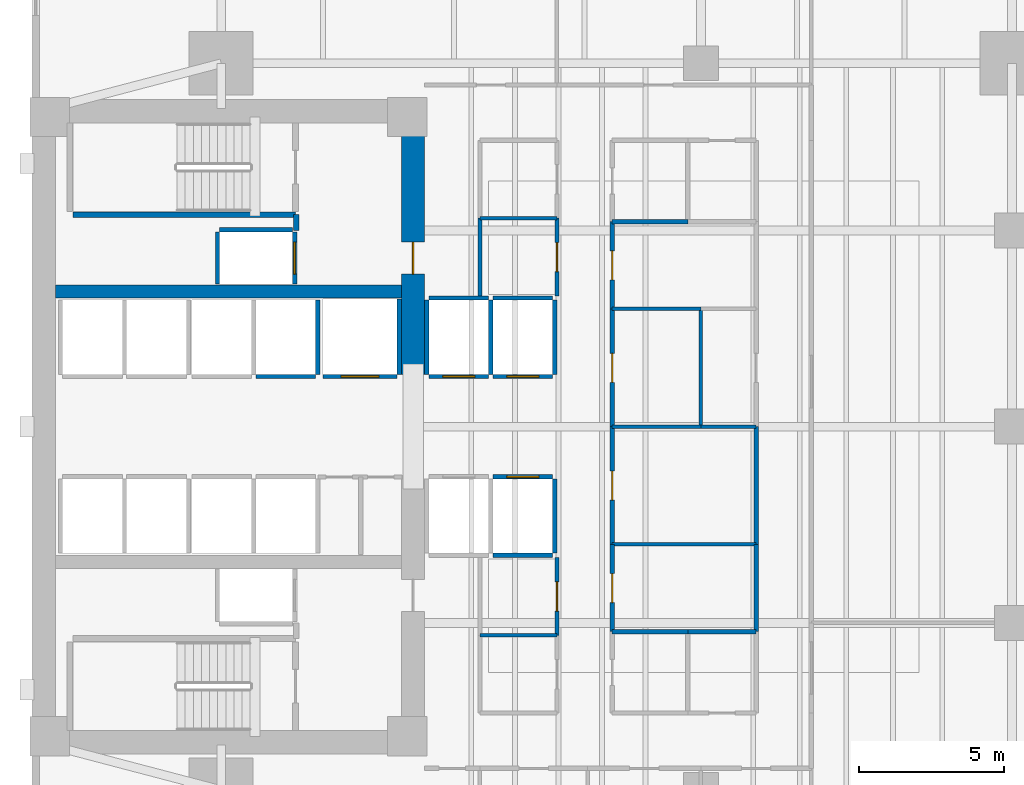
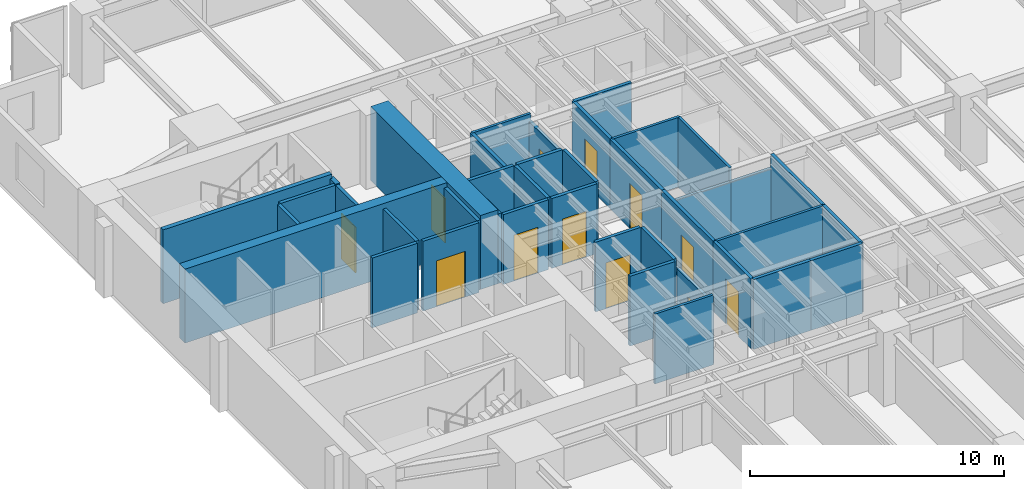
# One storey, part 9 of 15: 40 walls, 12 doors, 12 openings.
"""IFC4 building model written with IfcOpenShell, lengths in metres."""

from ifc_helpers import new_model, si_unit, direction, frame, frame_2d, origin, place, context, subcontext, project, spatial, rectangle, extrude, material, layer, layer_set, type_object, element, fill, save


model = new_model("IFC4")

# Units and contexts
model_context = context("Model", 3, precision=1e-05, world=origin(), true_north=direction((0.0, 1.0)))
body_context = subcontext(model_context, "Body", "Model", "MODEL_VIEW")
ifc_project = project(units=[si_unit("LENGTHUNIT", "METRE"), si_unit("AREAUNIT", "SQUARE_METRE"), si_unit("VOLUMEUNIT", "CUBIC_METRE"), si_unit("PLANEANGLEUNIT", "RADIAN"), si_unit("MASSUNIT", "GRAM", prefix="KILO")], contexts=[model_context])

# Site, building, storey
site_placement = place(None, origin())
site = spatial("IfcSite", under=ifc_project, at=site_placement, CompositionType="ELEMENT")
building_placement = place(site_placement, origin())
building = spatial("IfcBuilding", under=site, at=building_placement, Name="Kinhvarn Gate Tower", CompositionType="ELEMENT")
storey_placement = place(building_placement, frame((0.0, 0.0, 89.5)))
storey = spatial("IfcBuildingStorey", under=building, at=storey_placement, Name="L23", CompositionType="ELEMENT", Elevation=89.5)

# Wall
ifc_material_1 = material(Name="Concrete C50/60", Category="concrete")
ifc_layer_1 = layer(ifc_material_1, 0.449951171875)
ifc_layer_set_1 = layer_set([ifc_layer_1], Name="Concrete C50/60")
wall_type_1 = type_object("IfcWallType", Name="WL-CORE-450", PredefinedType="SHEAR", material=ifc_layer_set_1)
wall_1_placement = place(storey_placement, frame((5.300048828125, 29.89990234375, 0.0), z_axis=(0.0, 0.0, 1.0), x_axis=(1.0, 0.0, 0.0)))
element("IfcWall", 1, at=wall_1_placement, inside=storey, type_object=wall_type_1, Name="Core North Spine Shear Wall L23 450 mm", PredefinedType="SHEAR", context=body_context, shape_type="SweptSolid", body=[
    extrude(rectangle(XDim=11.89990234375, YDim=0.449951171875, at=frame_2d((5.949951171875, 0.0))), origin(), (0.0, 0.0, 1.0), 3.550048828125),
])

# Wall, opening, door
ifc_material_2 = material(Name="Concrete C70/85", Category="concrete")
ifc_layer_2 = layer(ifc_material_2, 0.800048828125)
ifc_layer_set_2 = layer_set([ifc_layer_2], Name="Concrete C70/85")
wall_type_2 = type_object("IfcWallType", Name="WL-CORE-800", PredefinedType="SHEAR", material=ifc_layer_set_2)
wall_2_placement = place(storey_placement, frame((17.60009765625, 27.050048828125, 0.0), z_axis=(0.0, 0.0, 1.0), x_axis=(0.0, 1.0, 0.0)))
wall_2 = element("IfcWall", 2, at=wall_2_placement, inside=storey, type_object=wall_type_2, Name="Core East-North Shear Pier L23 800 mm", PredefinedType="SHEAR", context=body_context, shape_type="SweptSolid", body=[
    extrude(rectangle(XDim=8.64990234375, YDim=0.800048828125, at=frame_2d((4.324951171875, 0.0))), origin(), (0.0, 0.0, 1.0), 3.550048828125),
])
opening_1_placement = place(wall_2_placement, frame((3.449951171875, 0.0, 0.0)))
opening_1 = element("IfcOpeningElement", 3, at=opening_1_placement, cuts=wall_2, Name="Opening FD-02", PredefinedType="OPENING", context=body_context, shape_type="SweptSolid", body=[
    extrude(rectangle(XDim=1.10009765625, YDim=2.14990234375, at=frame_2d((0.550048828125, 1.074951171875))), frame((0.0, 0.41015625, 0.0), z_axis=(0.0, -1.0, 0.0), x_axis=(1.0, 0.0, 0.0)), (0.0, 0.0, 1.0), 0.820068359375),
])
ifc_material_3 = material(Name="Anodised aluminium AW-6063", Category="aluminium")
door_type_1 = type_object("IfcDoorType", Name="DR-FD-1100", OperationType="NOTDEFINED", PredefinedType="DOOR", material=ifc_material_3)
door_1_placement = place(opening_1_placement, origin())
door_1 = element("IfcDoor", 4, at=door_1_placement, inside=storey, type_object=door_type_1, Name="Firefighting Lobby Core Door (L23)", OperationType="SINGLE_SWING_LEFT", OverallHeight=2.14990234375, OverallWidth=1.10009765625, PredefinedType="DOOR", context=body_context, shape_type="SweptSolid", body=[
    extrude(rectangle(XDim=1.10009765625, YDim=2.14990234375, at=frame_2d((0.550048828125, 1.074951171875))), frame((0.0, 0.02490234375, 0.0), z_axis=(0.0, -1.0, 0.0), x_axis=(1.0, 0.0, 0.0)), (0.0, 0.0, 1.0), 0.050048828125),
])
fill(opening_1, door_1)

# Walls
ifc_material_4 = material(Name="Gypsum acoustic partition board")
ifc_layer_3 = layer(ifc_material_4, 0.14990234375)
ifc_layer_set_3 = layer_set([ifc_layer_3], Name="Gypsum acoustic partition board")
wall_type_3 = type_object("IfcWallType", Name="WL-PLM-150", PredefinedType="PLUMBINGWALL", material=ifc_layer_set_3)
wall_3_placement = place(storey_placement, frame((24.449951171875, 18.199951171875, 0.0), z_axis=(0.0, 0.0, 1.0), x_axis=(1.0, 0.0, 0.0)))
element("IfcWall", 5, at=wall_3_placement, inside=storey, type_object=wall_type_3, Name="Interior Partition PLW-150 (L23)", PredefinedType="PLUMBINGWALL", context=body_context, shape_type="SweptSolid", body=[
    extrude(rectangle(XDim=2.60009765625, YDim=0.14990234375, at=frame_2d((1.300048828125, 0.0))), origin(), (0.0, 0.0, 1.0), 3.35009765625),
])
wall_4_placement = place(storey_placement, frame((27.050048828125, 18.199951171875, 0.0), z_axis=(0.0, 0.0, 1.0), x_axis=(1.0, 0.0, 0.0)))
element("IfcWall", 6, at=wall_4_placement, inside=storey, type_object=wall_type_3, Name="Interior Partition PLW-150 (L23)", PredefinedType="PLUMBINGWALL", context=body_context, shape_type="SweptSolid", body=[
    extrude(rectangle(XDim=2.349853515625, YDim=0.14990234375, at=frame_2d((1.1748046875, 0.0))), origin(), (0.0, 0.0, 1.0), 3.35009765625),
])
wall_5_placement = place(storey_placement, frame((24.449951171875, 32.300048828125, 0.0), z_axis=(0.0, 0.0, 1.0), x_axis=(1.0, 0.0, 0.0)))
element("IfcWall", 7, at=wall_5_placement, inside=storey, type_object=wall_type_3, Name="Interior Partition PLW-150 (L23)", PredefinedType="PLUMBINGWALL", context=body_context, shape_type="SweptSolid", body=[
    extrude(rectangle(XDim=2.60009765625, YDim=0.14990234375, at=frame_2d((1.300048828125, 0.0))), origin(), (0.0, 0.0, 1.0), 3.35009765625),
])
ifc_layer_4 = layer(ifc_material_4, 0.1201171875)
ifc_layer_set_4 = layer_set([ifc_layer_4], Name="Gypsum acoustic partition board")
wall_type_4 = type_object("IfcWallType", Name="WL-PRT-120", PredefinedType="PARTITIONING", material=ifc_layer_set_4)
for number, where, z_axis, x_axis, name in (
    (8, (19.89990234375, 18.070068359375, 0.0), (0.0, 0.0, 1.0), (1.0, 0.0, 0.0), "Interior Partition PW-120 (L23)"),
    (9, (19.89990234375, 32.419921875, 0.0), (0.0, 0.0, 1.0), (1.0, 0.0, 0.0), "Interior Partition PW-120 (L23)"),
):
    element("IfcWall", number, at=place(storey_placement, frame(where, z_axis=z_axis, x_axis=x_axis)), inside=storey, type_object=wall_type_4, Name=name, PredefinedType="PARTITIONING", context=body_context, shape_type="SweptSolid", body=[
        extrude(rectangle(XDim=2.650146484375, YDim=0.1201171875, at=frame_2d((1.3251953125, 0.0))), origin(), (0.0, 0.0, 1.0), 3.35009765625),
    ])
wall_6_placement = place(storey_placement, frame((24.449951171875, 21.199951171875, 0.0), z_axis=(0.0, 0.0, 1.0), x_axis=(1.0, 0.0, 0.0)))
element("IfcWall", 10, at=wall_6_placement, inside=storey, type_object=wall_type_4, Name="Interior Partition PW-120 (L23)", PredefinedType="PARTITIONING", context=body_context, shape_type="SweptSolid", body=[
    extrude(rectangle(XDim=4.949951171875, YDim=0.1201171875, at=frame_2d((2.47509765625, 0.0))), origin(), (0.0, 0.0, 1.0), 3.35009765625),
])
wall_7_placement = place(storey_placement, frame((24.449951171875, 29.300048828125, 0.0), z_axis=(0.0, 0.0, 1.0), x_axis=(1.0, 0.0, 0.0)))
element("IfcWall", 11, at=wall_7_placement, inside=storey, type_object=wall_type_4, Name="Interior Partition PW-120 (L23)", PredefinedType="PARTITIONING", context=body_context, shape_type="SweptSolid", body=[
    extrude(rectangle(XDim=3.050048828125, YDim=0.1201171875, at=frame_2d((1.52490234375, 0.0))), origin(), (0.0, 0.0, 1.0), 3.35009765625),
])
wall_8_placement = place(storey_placement, frame((24.449951171875, 25.25, 0.0), z_axis=(0.0, 0.0, 1.0), x_axis=(1.0, 0.0, 0.0)))
element("IfcWall", 12, at=wall_8_placement, inside=storey, type_object=wall_type_4, Name="Interior Partition PW-120 (L23)", PredefinedType="PARTITIONING", context=body_context, shape_type="SweptSolid", body=[
    extrude(rectangle(XDim=3.050048828125, YDim=0.1201171875, at=frame_2d((1.52490234375, 0.0))), origin(), (0.0, 0.0, 1.0), 2.699951171875),
])
wall_9_placement = place(storey_placement, frame((27.5, 25.25, 0.0), z_axis=(0.0, 0.0, 1.0), x_axis=(1.0, 0.0, 0.0)))
element("IfcWall", 13, at=wall_9_placement, inside=storey, type_object=wall_type_4, Name="Interior Partition PW-120 (L23)", PredefinedType="PARTITIONING", context=body_context, shape_type="SweptSolid", body=[
    extrude(rectangle(XDim=1.89990234375, YDim=0.1201171875, at=frame_2d((0.949951171875, 0.0))), origin(), (0.0, 0.0, 1.0), 2.699951171875),
])
wall_10_placement = place(storey_placement, frame((27.5, 25.25, 0.0), z_axis=(0.0, 0.0, 1.0), x_axis=(0.0, 1.0, 0.0)))
element("IfcWall", 14, at=wall_10_placement, inside=storey, type_object=wall_type_4, Name="Interior Partition PW-120 (L23)", PredefinedType="PARTITIONING", context=body_context, shape_type="SweptSolid", body=[
    extrude(rectangle(XDim=4.050048828125, YDim=0.1201171875, at=frame_2d((2.02490234375, 0.0))), origin(), (0.0, 0.0, 1.0), 3.35009765625),
])

# Wall, opening, door
ifc_layer_5 = layer(ifc_material_4, 0.14990234375)
ifc_layer_set_5 = layer_set([ifc_layer_5], Name="Gypsum acoustic partition board")
wall_type_5 = type_object("IfcWallType", Name="WL-PRT-150F", PredefinedType="PARTITIONING", material=ifc_layer_set_5)
wall_11_placement = place(storey_placement, frame((22.550048828125, 18.070068359375, 0.0), z_axis=(0.0, 0.0, 1.0), x_axis=(0.0, 1.0, 0.0)))
wall_11 = element("IfcWall", 15, at=wall_11_placement, inside=storey, type_object=wall_type_5, Name="Interior Partition PW-150F (L23)", PredefinedType="PARTITIONING", context=body_context, shape_type="SweptSolid", body=[
    extrude(rectangle(XDim=2.679931640625, YDim=0.14990234375, at=frame_2d((1.33984375, 0.0))), origin(), (0.0, 0.0, 1.0), 2.989990234375),
])
opening_2_placement = place(wall_11_placement, frame((0.840087890625, 0.0, 0.0)))
opening_2 = element("IfcOpeningElement", 16, at=opening_2_placement, cuts=wall_11, Name="Opening ID-02", PredefinedType="OPENING", context=body_context, shape_type="SweptSolid", body=[
    extrude(rectangle(XDim=1.0, YDim=2.14990234375, at=frame_2d((0.5, 1.074951171875))), frame((0.0, 0.0849609375, 0.0), z_axis=(0.0, -1.0, 0.0), x_axis=(1.0, 0.0, 0.0)), (0.0, 0.0, 1.0), 0.169921875),
])
door_type_2 = type_object("IfcDoorType", Name="DR-INT-1000", OperationType="NOTDEFINED", PredefinedType="DOOR", material=ifc_material_3)
door_2_placement = place(opening_2_placement, origin())
door_2 = element("IfcDoor", 17, at=door_2_placement, inside=storey, type_object=door_type_2, Name="Standard Office & Meeting Room Door 1000x2150 mm (L23)", OperationType="SINGLE_SWING_LEFT", OverallHeight=2.14990234375, OverallWidth=1.0, PredefinedType="DOOR", context=body_context, shape_type="SweptSolid", body=[
    extrude(rectangle(XDim=1.0, YDim=2.14990234375, at=frame_2d((0.5, 1.074951171875))), frame((0.0, 0.02490234375, 0.0), z_axis=(0.0, -1.0, 0.0), x_axis=(1.0, 0.0, 0.0)), (0.0, 0.0, 1.0), 0.050048828125),
])
fill(opening_2, door_2)

wall_12_placement = place(storey_placement, frame((22.550048828125, 29.75, 0.0), z_axis=(0.0, 0.0, 1.0), x_axis=(0.0, 1.0, 0.0)))
wall_12 = element("IfcWall", 18, at=wall_12_placement, inside=storey, type_object=wall_type_5, Name="Interior Partition PW-150F (L23)", PredefinedType="PARTITIONING", context=body_context, shape_type="SweptSolid", body=[
    extrude(rectangle(XDim=2.669921875, YDim=0.14990234375, at=frame_2d((1.3349609375, 0.0))), origin(), (0.0, 0.0, 1.0), 2.989990234375),
])
opening_3_placement = place(wall_12_placement, frame((0.8349609375, 0.0, 0.0)))
opening_3 = element("IfcOpeningElement", 19, at=opening_3_placement, cuts=wall_12, Name="Opening ID-02", PredefinedType="OPENING", context=body_context, shape_type="SweptSolid", body=[
    extrude(rectangle(XDim=1.0, YDim=2.14990234375, at=frame_2d((0.5, 1.074951171875))), frame((0.0, 0.0849609375, 0.0), z_axis=(0.0, -1.0, 0.0), x_axis=(1.0, 0.0, 0.0)), (0.0, 0.0, 1.0), 0.169921875),
])
door_3_placement = place(opening_3_placement, origin())
door_3 = element("IfcDoor", 20, at=door_3_placement, inside=storey, type_object=door_type_2, Name="Standard Office & Meeting Room Door 1000x2150 mm (L23)", OperationType="SINGLE_SWING_RIGHT", OverallHeight=2.14990234375, OverallWidth=1.0, PredefinedType="DOOR", context=body_context, shape_type="SweptSolid", body=[
    extrude(rectangle(XDim=1.0, YDim=2.14990234375, at=frame_2d((0.5, 1.074951171875))), frame((0.0, 0.02490234375, 0.0), z_axis=(0.0, -1.0, 0.0), x_axis=(1.0, 0.0, 0.0)), (0.0, 0.0, 1.0), 0.050048828125),
])
fill(opening_3, door_3)

wall_13_placement = place(storey_placement, frame((24.449951171875, 18.199951171875, 0.0), z_axis=(0.0, 0.0, 1.0), x_axis=(0.0, 1.0, 0.0)))
wall_13 = element("IfcWall", 21, at=wall_13_placement, inside=storey, type_object=wall_type_5, Name="Interior Partition PW-150F (L23)", PredefinedType="PARTITIONING", context=body_context, shape_type="SweptSolid", body=[
    extrude(rectangle(XDim=3.0, YDim=0.14990234375, at=frame_2d((1.5, 0.0))), origin(), (0.0, 0.0, 1.0), 3.35009765625),
])
opening_4_placement = place(wall_13_placement, frame((1.0, 0.0, 0.0)))
opening_4 = element("IfcOpeningElement", 22, at=opening_4_placement, cuts=wall_13, Name="Opening ID-02", PredefinedType="OPENING", context=body_context, shape_type="SweptSolid", body=[
    extrude(rectangle(XDim=1.0, YDim=2.14990234375, at=frame_2d((0.5, 1.074951171875))), frame((0.0, 0.0849609375, 0.0), z_axis=(0.0, -1.0, 0.0), x_axis=(1.0, 0.0, 0.0)), (0.0, 0.0, 1.0), 0.169921875),
])
door_4_placement = place(opening_4_placement, origin())
door_4 = element("IfcDoor", 23, at=door_4_placement, inside=storey, type_object=door_type_2, Name="Standard Office & Meeting Room Door 1000x2150 mm (L23)", OperationType="SINGLE_SWING_RIGHT", OverallHeight=2.14990234375, OverallWidth=1.0, PredefinedType="DOOR", context=body_context, shape_type="SweptSolid", body=[
    extrude(rectangle(XDim=1.0, YDim=2.14990234375, at=frame_2d((0.5, 1.074951171875))), frame((0.0, 0.02490234375, 0.0), z_axis=(0.0, -1.0, 0.0), x_axis=(1.0, 0.0, 0.0)), (0.0, 0.0, 1.0), 0.050048828125),
])
fill(opening_4, door_4)

wall_14_placement = place(storey_placement, frame((24.449951171875, 29.300048828125, 0.0), z_axis=(0.0, 0.0, 1.0), x_axis=(0.0, 1.0, 0.0)))
wall_14 = element("IfcWall", 24, at=wall_14_placement, inside=storey, type_object=wall_type_5, Name="Interior Partition PW-150F (L23)", PredefinedType="PARTITIONING", context=body_context, shape_type="SweptSolid", body=[
    extrude(rectangle(XDim=3.0, YDim=0.14990234375, at=frame_2d((1.5, 0.0))), origin(), (0.0, 0.0, 1.0), 3.35009765625),
])
opening_5_placement = place(wall_14_placement, frame((1.0, 0.0, 0.0)))
opening_5 = element("IfcOpeningElement", 25, at=opening_5_placement, cuts=wall_14, Name="Opening ID-02", PredefinedType="OPENING", context=body_context, shape_type="SweptSolid", body=[
    extrude(rectangle(XDim=1.0, YDim=2.14990234375, at=frame_2d((0.5, 1.074951171875))), frame((0.0, 0.0849609375, 0.0), z_axis=(0.0, -1.0, 0.0), x_axis=(1.0, 0.0, 0.0)), (0.0, 0.0, 1.0), 0.169921875),
])
door_5_placement = place(opening_5_placement, origin())
door_5 = element("IfcDoor", 26, at=door_5_placement, inside=storey, type_object=door_type_2, Name="Standard Office & Meeting Room Door 1000x2150 mm (L23)", OperationType="SINGLE_SWING_LEFT", OverallHeight=2.14990234375, OverallWidth=1.0, PredefinedType="DOOR", context=body_context, shape_type="SweptSolid", body=[
    extrude(rectangle(XDim=1.0, YDim=2.14990234375, at=frame_2d((0.5, 1.074951171875))), frame((0.0, 0.02490234375, 0.0), z_axis=(0.0, -1.0, 0.0), x_axis=(1.0, 0.0, 0.0)), (0.0, 0.0, 1.0), 0.050048828125),
])
fill(opening_5, door_5)

wall_15_placement = place(storey_placement, frame((24.449951171875, 21.199951171875, 0.0), z_axis=(0.0, 0.0, 1.0), x_axis=(0.0, 1.0, 0.0)))
wall_15 = element("IfcWall", 27, at=wall_15_placement, inside=storey, type_object=wall_type_5, Name="Interior Partition PW-150F (L23)", PredefinedType="PARTITIONING", context=body_context, shape_type="SweptSolid", body=[
    extrude(rectangle(XDim=4.050048828125, YDim=0.14990234375, at=frame_2d((2.02490234375, 0.0))), origin(), (0.0, 0.0, 1.0), 3.35009765625),
])
opening_6_placement = place(wall_15_placement, frame((1.52490234375, 0.0, 0.0)))
opening_6 = element("IfcOpeningElement", 28, at=opening_6_placement, cuts=wall_15, Name="Opening ID-02", PredefinedType="OPENING", context=body_context, shape_type="SweptSolid", body=[
    extrude(rectangle(XDim=1.0, YDim=2.14990234375, at=frame_2d((0.5, 1.074951171875))), frame((0.0, 0.0849609375, 0.0), z_axis=(0.0, -1.0, 0.0), x_axis=(1.0, 0.0, 0.0)), (0.0, 0.0, 1.0), 0.169921875),
])
door_6_placement = place(opening_6_placement, origin())
door_6 = element("IfcDoor", 29, at=door_6_placement, inside=storey, type_object=door_type_2, Name="Standard Office & Meeting Room Door 1000x2150 mm (L23)", OperationType="SINGLE_SWING_RIGHT", OverallHeight=2.14990234375, OverallWidth=1.0, PredefinedType="DOOR", context=body_context, shape_type="SweptSolid", body=[
    extrude(rectangle(XDim=1.0, YDim=2.14990234375, at=frame_2d((0.5, 1.074951171875))), frame((0.0, 0.02490234375, 0.0), z_axis=(0.0, -1.0, 0.0), x_axis=(1.0, 0.0, 0.0)), (0.0, 0.0, 1.0), 0.050048828125),
])
fill(opening_6, door_6)

wall_16_placement = place(storey_placement, frame((24.449951171875, 25.25, 0.0), z_axis=(0.0, 0.0, 1.0), x_axis=(0.0, 1.0, 0.0)))
wall_16 = element("IfcWall", 30, at=wall_16_placement, inside=storey, type_object=wall_type_5, Name="Interior Partition PW-150F (L23)", PredefinedType="PARTITIONING", context=body_context, shape_type="SweptSolid", body=[
    extrude(rectangle(XDim=4.050048828125, YDim=0.14990234375, at=frame_2d((2.02490234375, 0.0))), origin(), (0.0, 0.0, 1.0), 3.35009765625),
])
opening_7_placement = place(wall_16_placement, frame((1.52490234375, 0.0, 0.0)))
opening_7 = element("IfcOpeningElement", 31, at=opening_7_placement, cuts=wall_16, Name="Opening ID-02", PredefinedType="OPENING", context=body_context, shape_type="SweptSolid", body=[
    extrude(rectangle(XDim=1.0, YDim=2.14990234375, at=frame_2d((0.5, 1.074951171875))), frame((0.0, 0.0849609375, 0.0), z_axis=(0.0, -1.0, 0.0), x_axis=(1.0, 0.0, 0.0)), (0.0, 0.0, 1.0), 0.169921875),
])
door_7_placement = place(opening_7_placement, origin())
door_7 = element("IfcDoor", 32, at=door_7_placement, inside=storey, type_object=door_type_2, Name="Standard Office & Meeting Room Door 1000x2150 mm (L23)", OperationType="SINGLE_SWING_LEFT", OverallHeight=2.14990234375, OverallWidth=1.0, PredefinedType="DOOR", context=body_context, shape_type="SweptSolid", body=[
    extrude(rectangle(XDim=1.0, YDim=2.14990234375, at=frame_2d((0.5, 1.074951171875))), frame((0.0, 0.02490234375, 0.0), z_axis=(0.0, -1.0, 0.0), x_axis=(1.0, 0.0, 0.0)), (0.0, 0.0, 1.0), 0.050048828125),
])
fill(opening_7, door_7)

# Walls
wall_17_placement = place(storey_placement, frame((19.89990234375, 29.75, 0.0), z_axis=(0.0, 0.0, 1.0), x_axis=(0.0, 1.0, 0.0)))
element("IfcWall", 33, at=wall_17_placement, inside=storey, type_object=wall_type_5, Name="Interior Partition PW-150F (L23)", PredefinedType="PARTITIONING", context=body_context, shape_type="SweptSolid", body=[
    extrude(rectangle(XDim=2.669921875, YDim=0.14990234375, at=frame_2d((1.3349609375, 0.0))), origin(), (0.0, 0.0, 1.0), 3.35009765625),
])
wall_18_placement = place(storey_placement, frame((29.39990234375, 18.199951171875, 0.0), z_axis=(0.0, 0.0, 1.0), x_axis=(0.0, 1.0, 0.0)))
element("IfcWall", 34, at=wall_18_placement, inside=storey, type_object=wall_type_5, Name="Interior Partition PW-150F (L23)", PredefinedType="PARTITIONING", context=body_context, shape_type="SweptSolid", body=[
    extrude(rectangle(XDim=3.0, YDim=0.14990234375, at=frame_2d((1.5, 0.0))), origin(), (0.0, 0.0, 1.0), 3.35009765625),
])
wall_19_placement = place(storey_placement, frame((29.39990234375, 21.199951171875, 0.0), z_axis=(0.0, 0.0, 1.0), x_axis=(0.0, 1.0, 0.0)))
element("IfcWall", 35, at=wall_19_placement, inside=storey, type_object=wall_type_5, Name="Interior Partition PW-150F (L23)", PredefinedType="PARTITIONING", context=body_context, shape_type="SweptSolid", body=[
    extrude(rectangle(XDim=4.050048828125, YDim=0.14990234375, at=frame_2d((2.02490234375, 0.0))), origin(), (0.0, 0.0, 1.0), 3.35009765625),
])
ifc_layer_6 = layer(ifc_material_4, 0.199951171875)
ifc_layer_set_6 = layer_set([ifc_layer_6], Name="Gypsum acoustic partition board")
wall_type_6 = type_object("IfcWallType", Name="WL-PRT-200", PredefinedType="PARTITIONING", material=ifc_layer_set_6)
wall_20_placement = place(storey_placement, frame((13.580078125, 32.0, 0.0), z_axis=(0.0, 0.0, 1.0), x_axis=(0.0, 1.0, 0.0)))
element("IfcWall", 36, at=wall_20_placement, inside=storey, type_object=wall_type_6, Name="Interior Partition PW-200 (L23)", PredefinedType="PARTITIONING", context=body_context, shape_type="SweptSolid", body=[
    extrude(rectangle(XDim=0.5400390625, YDim=0.199951171875, at=frame_2d((0.27001953125, 0.0))), origin(), (0.0, 0.0, 1.0), 3.35009765625),
])
ifc_layer_7 = layer(ifc_material_4, 0.14990234375)
ifc_layer_set_7 = layer_set([ifc_layer_7], Name="Gypsum acoustic partition board")
wall_type_7 = type_object("IfcWallType", Name="WL-SHF-150", PredefinedType="PARTITIONING", material=ifc_layer_set_7)
wall_21_placement = place(storey_placement, frame((20.35009765625, 20.824951171875, 0.0), z_axis=(0.0, 0.0, 1.0), x_axis=(1.0, 0.0, 0.0)))
element("IfcWall", 37, at=wall_21_placement, inside=storey, type_object=wall_type_7, Name="Elevator PL-02 Hoistway Wall S (L23)", PredefinedType="PARTITIONING", context=body_context, shape_type="SweptSolid", body=[
    extrude(rectangle(XDim=2.0498046875, YDim=0.14990234375, at=frame_2d((1.02490234375, 0.0))), origin(), (0.0, 0.0, 1.0), 3.35009765625),
])

# Wall, opening, door
wall_22_placement = place(storey_placement, frame((20.35009765625, 23.52490234375, 0.0), z_axis=(0.0, 0.0, 1.0), x_axis=(1.0, 0.0, 0.0)))
wall_22 = element("IfcWall", 38, at=wall_22_placement, inside=storey, type_object=wall_type_7, Name="Elevator PL-02 Landing Wall (L23)", PredefinedType="PARTITIONING", context=body_context, shape_type="SweptSolid", body=[
    extrude(rectangle(XDim=2.0498046875, YDim=0.14990234375, at=frame_2d((1.02490234375, 0.0))), origin(), (0.0, 0.0, 1.0), 3.35009765625),
])
opening_8_placement = place(wall_22_placement, frame((0.47509765625, 0.0, 0.0)))
opening_8 = element("IfcOpeningElement", 39, at=opening_8_placement, cuts=wall_22, Name="Opening LD-01", PredefinedType="OPENING", context=body_context, shape_type="SweptSolid", body=[
    extrude(rectangle(XDim=1.10009765625, YDim=2.199951171875, at=frame_2d((0.550048828125, 1.10009765625))), frame((0.0, 0.0849609375, 0.0), z_axis=(0.0, -1.0, 0.0), x_axis=(1.0, 0.0, 0.0)), (0.0, 0.0, 1.0), 0.169921875),
])
door_type_3 = type_object("IfcDoorType", Name="DR-LND-PAS", OperationType="NOTDEFINED", PredefinedType="DOOR", material=ifc_material_3)
door_8_placement = place(opening_8_placement, origin())
door_8 = element("IfcDoor", 40, at=door_8_placement, inside=storey, type_object=door_type_3, Name="Elevator PL-02 Sliding Landing Door (L23)", OperationType="DOUBLE_DOOR_SLIDING", OverallHeight=2.199951171875, OverallWidth=1.10009765625, PredefinedType="DOOR", context=body_context, shape_type="SweptSolid", body=[
    extrude(rectangle(XDim=1.10009765625, YDim=2.199951171875, at=frame_2d((0.550048828125, 1.10009765625))), frame((0.0, 0.02490234375, 0.0), z_axis=(0.0, -1.0, 0.0), x_axis=(1.0, 0.0, 0.0)), (0.0, 0.0, 1.0), 0.050048828125),
])
fill(opening_8, door_8)

# Wall
wall_23_placement = place(storey_placement, frame((22.47509765625, 20.89990234375, 0.0), z_axis=(0.0, 0.0, 1.0), x_axis=(0.0, 1.0, 0.0)))
element("IfcWall", 41, at=wall_23_placement, inside=storey, type_object=wall_type_7, Name="Elevator PL-02 Hoistway Wall E (L23)", PredefinedType="PARTITIONING", context=body_context, shape_type="SweptSolid", body=[
    extrude(rectangle(XDim=2.550048828125, YDim=0.14990234375, at=frame_2d((1.27490234375, 0.0))), origin(), (0.0, 0.0, 1.0), 3.35009765625),
])

# Wall, opening, door
wall_24_placement = place(storey_placement, frame((18.14990234375, 26.97509765625, 0.0), z_axis=(0.0, 0.0, 1.0), x_axis=(1.0, 0.0, 0.0)))
wall_24 = element("IfcWall", 42, at=wall_24_placement, inside=storey, type_object=wall_type_7, Name="Elevator PL-03 Landing Wall (L23)", PredefinedType="PARTITIONING", context=body_context, shape_type="SweptSolid", body=[
    extrude(rectangle(XDim=2.050048828125, YDim=0.14990234375, at=frame_2d((1.02490234375, 0.0))), origin(), (0.0, 0.0, 1.0), 3.35009765625),
])
opening_9_placement = place(wall_24_placement, frame((0.47509765625, 0.0, 0.0)))
opening_9 = element("IfcOpeningElement", 43, at=opening_9_placement, cuts=wall_24, Name="Opening LD-01", PredefinedType="OPENING", context=body_context, shape_type="SweptSolid", body=[
    extrude(rectangle(XDim=1.10009765625, YDim=2.199951171875, at=frame_2d((0.550048828125, 1.10009765625))), frame((0.0, 0.0849609375, 0.0), z_axis=(0.0, -1.0, 0.0), x_axis=(1.0, 0.0, 0.0)), (0.0, 0.0, 1.0), 0.169921875),
])
door_9_placement = place(opening_9_placement, origin())
door_9 = element("IfcDoor", 44, at=door_9_placement, inside=storey, type_object=door_type_3, Name="Elevator PL-03 Sliding Landing Door (L23)", OperationType="DOUBLE_DOOR_SLIDING", OverallHeight=2.199951171875, OverallWidth=1.10009765625, PredefinedType="DOOR", context=body_context, shape_type="SweptSolid", body=[
    extrude(rectangle(XDim=1.10009765625, YDim=2.199951171875, at=frame_2d((0.550048828125, 1.10009765625))), frame((0.0, 0.02490234375, 0.0), z_axis=(0.0, -1.0, 0.0), x_axis=(1.0, 0.0, 0.0)), (0.0, 0.0, 1.0), 0.050048828125),
])
fill(opening_9, door_9)

# Walls
wall_25_placement = place(storey_placement, frame((18.14990234375, 29.675048828125, 0.0), z_axis=(0.0, 0.0, 1.0), x_axis=(1.0, 0.0, 0.0)))
element("IfcWall", 45, at=wall_25_placement, inside=storey, type_object=wall_type_7, Name="Elevator PL-03 Hoistway Wall N (L23)", PredefinedType="PARTITIONING", context=body_context, shape_type="SweptSolid", body=[
    extrude(rectangle(XDim=2.050048828125, YDim=0.14990234375, at=frame_2d((1.02490234375, 0.0))), origin(), (0.0, 0.0, 1.0), 3.35009765625),
])
for number, where, z_axis, x_axis, name in (
    (46, (18.074951171875, 27.050048828125, 0.0), (0.0, 0.0, 1.0), (0.0, 1.0, 0.0), "Elevator PL-03 Hoistway Wall W (L23)"),
    (47, (20.27490234375, 27.050048828125, 0.0), (0.0, 0.0, 1.0), (0.0, 1.0, 0.0), "Elevator PL-03 Hoistway Wall E (L23)"),
):
    element("IfcWall", number, at=place(storey_placement, frame(where, z_axis=z_axis, x_axis=x_axis)), inside=storey, type_object=wall_type_7, Name=name, PredefinedType="PARTITIONING", context=body_context, shape_type="SweptSolid", body=[
        extrude(rectangle(XDim=2.550048828125, YDim=0.14990234375, at=frame_2d((1.27490234375, 0.0))), origin(), (0.0, 0.0, 1.0), 3.35009765625),
    ])

# Wall, opening, door
wall_26_placement = place(storey_placement, frame((20.35009765625, 26.97509765625, 0.0), z_axis=(0.0, 0.0, 1.0), x_axis=(1.0, 0.0, 0.0)))
wall_26 = element("IfcWall", 48, at=wall_26_placement, inside=storey, type_object=wall_type_7, Name="Elevator PL-04 Landing Wall (L23)", PredefinedType="PARTITIONING", context=body_context, shape_type="SweptSolid", body=[
    extrude(rectangle(XDim=2.0498046875, YDim=0.14990234375, at=frame_2d((1.02490234375, 0.0))), origin(), (0.0, 0.0, 1.0), 3.35009765625),
])
opening_10_placement = place(wall_26_placement, frame((0.47509765625, 0.0, 0.0)))
opening_10 = element("IfcOpeningElement", 49, at=opening_10_placement, cuts=wall_26, Name="Opening LD-01", PredefinedType="OPENING", context=body_context, shape_type="SweptSolid", body=[
    extrude(rectangle(XDim=1.10009765625, YDim=2.199951171875, at=frame_2d((0.550048828125, 1.10009765625))), frame((0.0, 0.0849609375, 0.0), z_axis=(0.0, -1.0, 0.0), x_axis=(1.0, 0.0, 0.0)), (0.0, 0.0, 1.0), 0.169921875),
])
door_10_placement = place(opening_10_placement, origin())
door_10 = element("IfcDoor", 50, at=door_10_placement, inside=storey, type_object=door_type_3, Name="Elevator PL-04 Sliding Landing Door (L23)", OperationType="DOUBLE_DOOR_SLIDING", OverallHeight=2.199951171875, OverallWidth=1.10009765625, PredefinedType="DOOR", context=body_context, shape_type="SweptSolid", body=[
    extrude(rectangle(XDim=1.10009765625, YDim=2.199951171875, at=frame_2d((0.550048828125, 1.10009765625))), frame((0.0, 0.02490234375, 0.0), z_axis=(0.0, -1.0, 0.0), x_axis=(1.0, 0.0, 0.0)), (0.0, 0.0, 1.0), 0.050048828125),
])
fill(opening_10, door_10)

# Walls
wall_27_placement = place(storey_placement, frame((20.35009765625, 29.675048828125, 0.0), z_axis=(0.0, 0.0, 1.0), x_axis=(1.0, 0.0, 0.0)))
element("IfcWall", 51, at=wall_27_placement, inside=storey, type_object=wall_type_7, Name="Elevator PL-04 Hoistway Wall N (L23)", PredefinedType="PARTITIONING", context=body_context, shape_type="SweptSolid", body=[
    extrude(rectangle(XDim=2.0498046875, YDim=0.14990234375, at=frame_2d((1.02490234375, 0.0))), origin(), (0.0, 0.0, 1.0), 3.35009765625),
])
wall_28_placement = place(storey_placement, frame((22.47509765625, 27.050048828125, 0.0), z_axis=(0.0, 0.0, 1.0), x_axis=(0.0, 1.0, 0.0)))
element("IfcWall", 52, at=wall_28_placement, inside=storey, type_object=wall_type_7, Name="Elevator PL-04 Hoistway Wall E (L23)", PredefinedType="PARTITIONING", context=body_context, shape_type="SweptSolid", body=[
    extrude(rectangle(XDim=2.550048828125, YDim=0.14990234375, at=frame_2d((1.27490234375, 0.0))), origin(), (0.0, 0.0, 1.0), 3.35009765625),
])
wall_29_placement = place(storey_placement, frame((12.199951171875, 26.97509765625, 0.0), z_axis=(0.0, 0.0, 1.0), x_axis=(1.0, 0.0, 0.0)))
element("IfcWall", 53, at=wall_29_placement, inside=storey, type_object=wall_type_7, Name="Elevator PH-12 Landing Wall (L23)", PredefinedType="PARTITIONING", context=body_context, shape_type="SweptSolid", body=[
    extrude(rectangle(XDim=2.050048828125, YDim=0.14990234375, at=frame_2d((1.02490234375, 0.0))), origin(), (0.0, 0.0, 1.0), 3.35009765625),
])
wall_30_placement = place(storey_placement, frame((14.324951171875, 27.050048828125, 0.0), z_axis=(0.0, 0.0, 1.0), x_axis=(0.0, 1.0, 0.0)))
element("IfcWall", 54, at=wall_30_placement, inside=storey, type_object=wall_type_7, Name="Elevator PH-12 Hoistway Wall E (L23)", PredefinedType="PARTITIONING", context=body_context, shape_type="SweptSolid", body=[
    extrude(rectangle(XDim=2.550048828125, YDim=0.14990234375, at=frame_2d((1.27490234375, 0.0))), origin(), (0.0, 0.0, 1.0), 3.35009765625),
])

# Wall, opening, door
wall_31_placement = place(storey_placement, frame((14.5, 26.97509765625, 0.0), z_axis=(0.0, 0.0, 1.0), x_axis=(1.0, 0.0, 0.0)))
wall_31 = element("IfcWall", 55, at=wall_31_placement, inside=storey, type_object=wall_type_7, Name="Elevator SV-01 Landing Wall (L23)", PredefinedType="PARTITIONING", context=body_context, shape_type="SweptSolid", body=[
    extrude(rectangle(XDim=2.550048828125, YDim=0.14990234375, at=frame_2d((1.27490234375, 0.0))), origin(), (0.0, 0.0, 1.0), 3.35009765625),
])
opening_11_placement = place(wall_31_placement, frame((0.625, 0.0, 0.0)))
opening_11 = element("IfcOpeningElement", 56, at=opening_11_placement, cuts=wall_31, Name="Opening LD-02", PredefinedType="OPENING", context=body_context, shape_type="SweptSolid", body=[
    extrude(rectangle(XDim=1.300048828125, YDim=2.199951171875, at=frame_2d((0.64990234375, 1.10009765625))), frame((0.0, 0.0849609375, 0.0), z_axis=(0.0, -1.0, 0.0), x_axis=(1.0, 0.0, 0.0)), (0.0, 0.0, 1.0), 0.169921875),
])
door_type_4 = type_object("IfcDoorType", Name="DR-LND-SRV", OperationType="NOTDEFINED", PredefinedType="DOOR", material=ifc_material_3)
door_11_placement = place(opening_11_placement, origin())
door_11 = element("IfcDoor", 57, at=door_11_placement, inside=storey, type_object=door_type_4, Name="Elevator SV-01 Sliding Landing Door (L23)", OperationType="DOUBLE_DOOR_SLIDING", OverallHeight=2.199951171875, OverallWidth=1.300048828125, PredefinedType="DOOR", context=body_context, shape_type="SweptSolid", body=[
    extrude(rectangle(XDim=1.300048828125, YDim=2.199951171875, at=frame_2d((0.64990234375, 1.10009765625))), frame((0.0, 0.02490234375, 0.0), z_axis=(0.0, -1.0, 0.0), x_axis=(1.0, 0.0, 0.0)), (0.0, 0.0, 1.0), 0.050048828125),
])
fill(opening_11, door_11)

# Walls
wall_32_placement = place(storey_placement, frame((17.125, 27.050048828125, 0.0), z_axis=(0.0, 0.0, 1.0), x_axis=(0.0, 1.0, 0.0)))
element("IfcWall", 58, at=wall_32_placement, inside=storey, type_object=wall_type_7, Name="Elevator SV-01 Hoistway Wall E (L23)", PredefinedType="PARTITIONING", context=body_context, shape_type="SweptSolid", body=[
    extrude(rectangle(XDim=2.599853515625, YDim=0.14990234375, at=frame_2d((1.2998046875, 0.0))), origin(), (0.0, 0.0, 1.0), 3.35009765625),
])
wall_33_placement = place(storey_placement, frame((10.949951171875, 32.02490234375, 0.0), z_axis=(0.0, 0.0, 1.0), x_axis=(1.0, 0.0, 0.0)))
element("IfcWall", 59, at=wall_33_placement, inside=storey, type_object=wall_type_7, Name="Elevator FF2 Hoistway Wall N (L23)", PredefinedType="PARTITIONING", context=body_context, shape_type="SweptSolid", body=[
    extrude(rectangle(XDim=2.5, YDim=0.14990234375, at=frame_2d((1.25, 0.0))), origin(), (0.0, 0.0, 1.0), 3.35009765625),
])
wall_34_placement = place(storey_placement, frame((10.875, 30.14990234375, 0.0), z_axis=(0.0, 0.0, 1.0), x_axis=(0.0, 1.0, 0.0)))
element("IfcWall", 60, at=wall_34_placement, inside=storey, type_object=wall_type_7, Name="Elevator FF2 Hoistway Wall W (L23)", PredefinedType="PARTITIONING", context=body_context, shape_type="SweptSolid", body=[
    extrude(rectangle(XDim=1.800048828125, YDim=0.14990234375, at=frame_2d((0.89990234375, 0.0))), origin(), (0.0, 0.0, 1.0), 3.35009765625),
])

# Wall, opening, door
wall_35_placement = place(storey_placement, frame((13.52490234375, 30.14990234375, 0.0), z_axis=(0.0, 0.0, 1.0), x_axis=(0.0, 1.0, 0.0)))
wall_35 = element("IfcWall", 61, at=wall_35_placement, inside=storey, type_object=wall_type_7, Name="Elevator FF2 Landing Wall (L23)", PredefinedType="PARTITIONING", context=body_context, shape_type="SweptSolid", body=[
    extrude(rectangle(XDim=1.800048828125, YDim=0.14990234375, at=frame_2d((0.89990234375, 0.0))), origin(), (0.0, 0.0, 1.0), 3.35009765625),
])
opening_12_placement = place(wall_35_placement, frame((0.35009765625, 0.0, 0.0)))
opening_12 = element("IfcOpeningElement", 62, at=opening_12_placement, cuts=wall_35, Name="Opening LD-03", PredefinedType="OPENING", context=body_context, shape_type="SweptSolid", body=[
    extrude(rectangle(XDim=1.10009765625, YDim=2.199951171875, at=frame_2d((0.550048828125, 1.10009765625))), frame((0.0, 0.0849609375, 0.0), z_axis=(0.0, -1.0, 0.0), x_axis=(1.0, 0.0, 0.0)), (0.0, 0.0, 1.0), 0.169921875),
])
door_type_5 = type_object("IfcDoorType", Name="DR-LND-FF", OperationType="NOTDEFINED", PredefinedType="DOOR", material=ifc_material_3)
door_12_placement = place(opening_12_placement, origin())
door_12 = element("IfcDoor", 63, at=door_12_placement, inside=storey, type_object=door_type_5, Name="Elevator FF2 Sliding Landing Door (L23)", OperationType="DOUBLE_DOOR_SLIDING", OverallHeight=2.199951171875, OverallWidth=1.10009765625, PredefinedType="DOOR", context=body_context, shape_type="SweptSolid", body=[
    extrude(rectangle(XDim=1.10009765625, YDim=2.199951171875, at=frame_2d((0.550048828125, 1.10009765625))), frame((0.0, 0.02490234375, 0.0), z_axis=(0.0, -1.0, 0.0), x_axis=(1.0, 0.0, 0.0)), (0.0, 0.0, 1.0), 0.050048828125),
])
fill(opening_12, door_12)

# Wall
ifc_material_5 = material(Name="Concrete C40/50", Category="concrete")
ifc_layer_8 = layer(ifc_material_5, 0.199951171875)
ifc_layer_set_8 = layer_set([ifc_layer_8], Name="Concrete C40/50")
wall_type_8 = type_object("IfcWallType", Name="WL-SHF-200", PredefinedType="SOLIDWALL", material=ifc_layer_set_8)
wall_36_placement = place(storey_placement, frame((5.89990234375, 32.5400390625, 0.0), z_axis=(0.0, 0.0, 1.0), x_axis=(1.0, 0.0, 0.0)))
element("IfcWall", 64, at=wall_36_placement, inside=storey, type_object=wall_type_8, Name="Stair ST2 South Shaft Wall (L23)", PredefinedType="SOLIDWALL", context=body_context, shape_type="SweptSolid", body=[
    extrude(rectangle(XDim=7.66015625, YDim=0.199951171875, at=frame_2d((3.830078125, 0.0))), origin(), (0.0, 0.0, 1.0), 3.550048828125),
])

save(model, "model.ifc")
